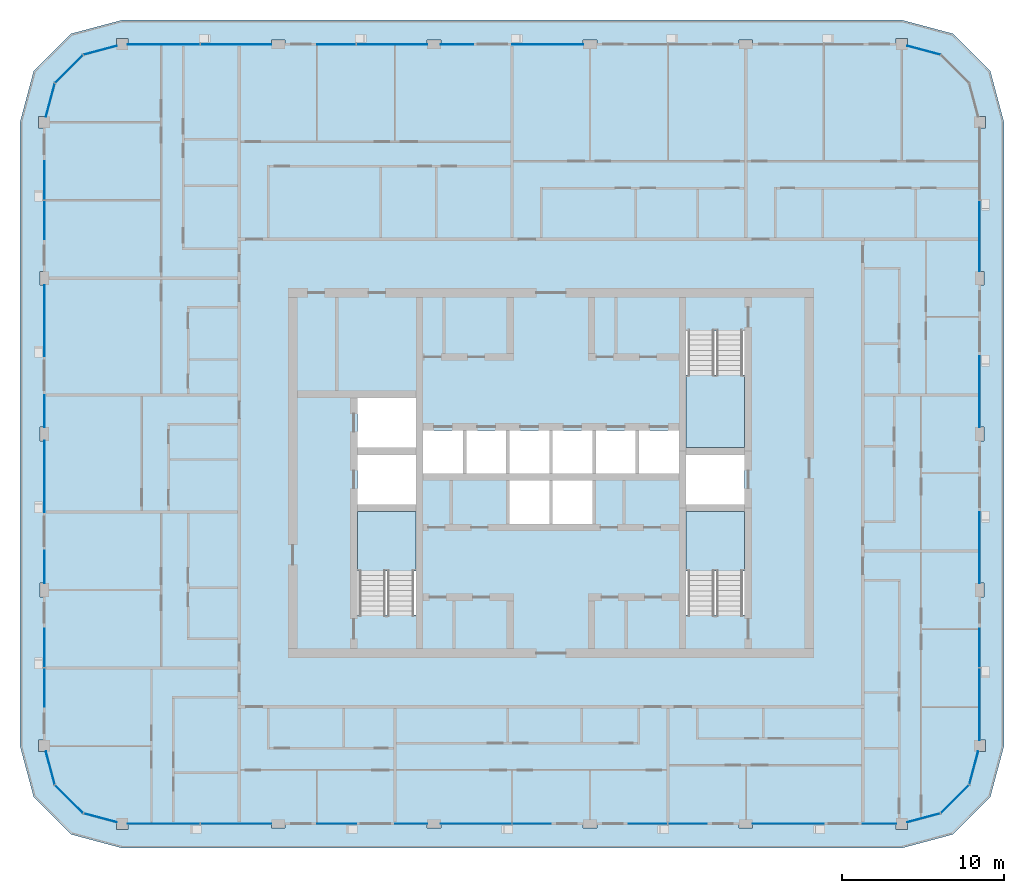
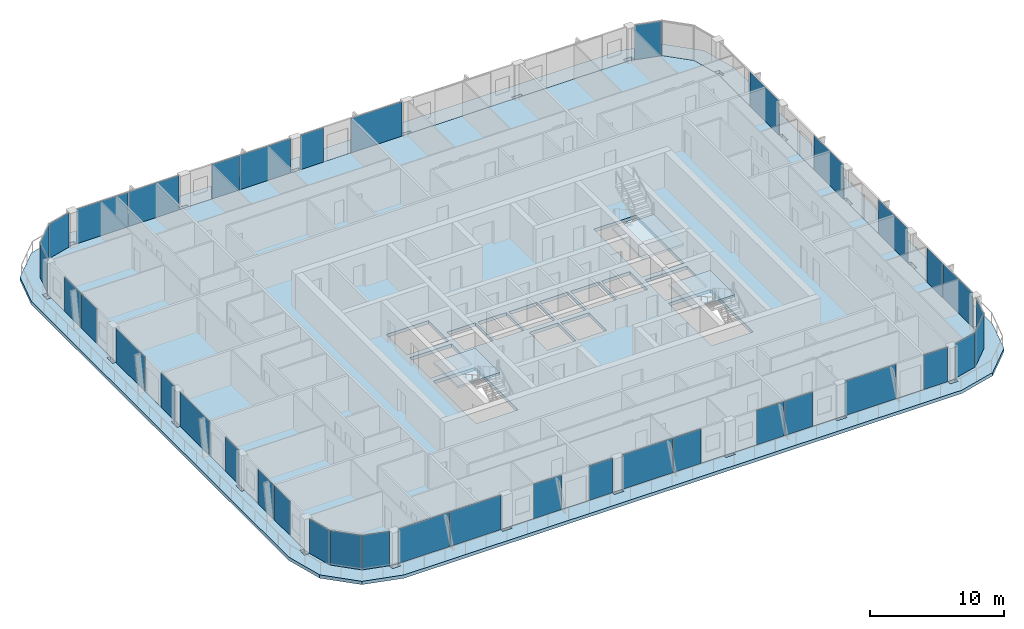
# One storey, part 7 of 22: 39 plates, 5 slabs, 23 elements without a shape of their own.
"""IFC4 building model written with IfcOpenShell, lengths in metres."""

from ifc_helpers import new_model, si_unit, direction, frame, origin, origin_2d, place, context, subcontext, project, spatial, polyline, rectangle, outline, extrude, material, layer, layer_set, type_object, element, aggregate, save


model = new_model("IFC4")

# Units and contexts
model_context = context("Model", 3, precision=1e-05, world=origin(), true_north=direction((0.0, 1.0)))
body_context = subcontext(model_context, "Body", "Model", "MODEL_VIEW")
ifc_project = project(units=[si_unit("LENGTHUNIT", "METRE"), si_unit("AREAUNIT", "SQUARE_METRE"), si_unit("VOLUMEUNIT", "CUBIC_METRE"), si_unit("PLANEANGLEUNIT", "RADIAN"), si_unit("MASSUNIT", "GRAM", prefix="KILO")], contexts=[model_context])

# Site, building, storey
site_placement = place(None, origin())
site = spatial("IfcSite", under=ifc_project, at=site_placement, CompositionType="ELEMENT")
building_placement = place(site_placement, origin())
building = spatial("IfcBuilding", under=site, at=building_placement, Name="Madar Terraces", CompositionType="ELEMENT")
storey_placement = place(building_placement, frame((0.0, 0.0, 256.199951171875)))
storey = spatial("IfcBuildingStorey", under=building, at=storey_placement, Name="L67", CompositionType="ELEMENT", Elevation=256.199951171875)

# Slabs
ifc_material_1 = material(Name="Concrete C50/60", Category="concrete")
ifc_layer_1 = layer(ifc_material_1, 0.300048828125)
ifc_layer_set_1 = layer_set([ifc_layer_1], Name="Balcony band 300")
slab_type_1 = type_object("IfcSlabType", Name="Balcony band 300", PredefinedType="FLOOR", material=ifc_layer_set_1)
slab_1_placement = place(storey_placement, frame((0.0, 0.0, -0.300048828125)))
element("IfcSlab", 1, at=slab_1_placement, inside=storey, type_object=slab_type_1, Name="Balcony band", PredefinedType="FLOOR", context=body_context, shape_type="SweptSolid", body=[
    extrude(outline(polyline([(4.800048828125, 3.300048828125), (1.64990234375, 4.14404296875), (-0.656005859375, 6.449951171875), (-1.5, 9.60009765625), (-1.5, 48.0), (-0.656005859375, 51.14990234375), (1.64990234375, 53.4560546875), (4.800048828125, 54.300048828125), (52.800048828125, 54.300048828125), (55.949951171875, 53.4560546875), (58.256103515625, 51.14990234375), (59.10009765625, 48.0), (59.10009765625, 9.60009765625), (58.256103515625, 6.449951171875), (55.949951171875, 4.14404296875), (52.800048828125, 3.300048828125), (4.800048828125, 3.300048828125)]), holes=[polyline([(5.14990234375, 4.449951171875), (5.14990234375, 4.800048828125), (13.97509765625, 4.800048828125), (13.97509765625, 4.52490234375), (14.824951171875, 4.52490234375), (14.824951171875, 4.800048828125), (23.574951171875, 4.800048828125), (23.574951171875, 4.52490234375), (24.425048828125, 4.52490234375), (24.425048828125, 4.800048828125), (33.175048828125, 4.800048828125), (33.175048828125, 4.52490234375), (34.02490234375, 4.52490234375), (34.02490234375, 4.800048828125), (42.77490234375, 4.800048828125), (42.77490234375, 4.52490234375), (43.625, 4.52490234375), (43.625, 4.800048828125), (52.449951171875, 4.800048828125), (52.449951171875, 4.449951171875), (53.14990234375, 4.449951171875), (53.14990234375, 4.893798828125), (55.199951171875, 5.443115234375), (56.956787109375, 7.199951171875), (57.506103515625, 9.25), (57.949951171875, 9.25), (57.949951171875, 9.949951171875), (57.60009765625, 9.949951171875), (57.60009765625, 18.77490234375), (57.875, 18.77490234375), (57.875, 19.625), (57.60009765625, 19.625), (57.60009765625, 28.375), (57.875, 28.375), (57.875, 29.22509765625), (57.60009765625, 29.22509765625), (57.60009765625, 37.97509765625), (57.875, 37.97509765625), (57.875, 38.824951171875), (57.60009765625, 38.824951171875), (57.60009765625, 47.64990234375), (57.949951171875, 47.64990234375), (57.949951171875, 48.35009765625), (57.506103515625, 48.35009765625), (56.956787109375, 50.39990234375), (55.199951171875, 52.156982421875), (53.14990234375, 52.706298828125), (53.14990234375, 53.14990234375), (52.449951171875, 53.14990234375), (52.449951171875, 52.800048828125), (43.625, 52.800048828125), (43.625, 53.074951171875), (42.77490234375, 53.074951171875), (42.77490234375, 52.800048828125), (34.02490234375, 52.800048828125), (34.02490234375, 53.074951171875), (33.175048828125, 53.074951171875), (33.175048828125, 52.800048828125), (24.425048828125, 52.800048828125), (24.425048828125, 53.074951171875), (23.574951171875, 53.074951171875), (23.574951171875, 52.800048828125), (14.824951171875, 52.800048828125), (14.824951171875, 53.074951171875), (13.97509765625, 53.074951171875), (13.97509765625, 52.800048828125), (5.14990234375, 52.800048828125), (5.14990234375, 53.14990234375), (4.449951171875, 53.14990234375), (4.449951171875, 52.706298828125), (2.39990234375, 52.156982421875), (0.64306640625, 50.39990234375), (0.09375, 48.35009765625), (-0.35009765625, 48.35009765625), (-0.35009765625, 47.64990234375), (0.0, 47.64990234375), (0.0, 38.824951171875), (-0.27490234375, 38.824951171875), (-0.27490234375, 37.97509765625), (0.0, 37.97509765625), (0.0, 29.22509765625), (-0.27490234375, 29.22509765625), (-0.27490234375, 28.375), (0.0, 28.375), (0.0, 19.625), (-0.27490234375, 19.625), (-0.27490234375, 18.77490234375), (0.0, 18.77490234375), (0.0, 9.949951171875), (-0.35009765625, 9.949951171875), (-0.35009765625, 9.25), (0.09375, 9.25), (0.64306640625, 7.199951171875), (2.39990234375, 5.443115234375), (4.449951171875, 4.893798828125), (4.449951171875, 4.449951171875), (5.14990234375, 4.449951171875)])]), origin(), (0.0, 0.0, 1.0), 0.300048828125),
])
ifc_material_2 = material(Name="Concrete C50/60", Category="concrete")
ifc_layer_2 = layer(ifc_material_2, 0.300048828125)
ifc_layer_set_2 = layer_set([ifc_layer_2], Name="FS2 PT flat slab 300")
slab_type_2 = type_object("IfcSlabType", Name="FS2 PT flat slab 300", PredefinedType="FLOOR", material=ifc_layer_set_2)
slab_2_placement = place(storey_placement, frame((0.0, 0.0, -0.300048828125)))
element("IfcSlab", 2, at=slab_2_placement, inside=storey, type_object=slab_type_2, Name="Floor slab L67 (1)", PredefinedType="FLOOR", context=body_context, shape_type="SweptSolid", body=[
    extrude(outline(polyline([(52.800048828125, 4.800048828125), (55.199951171875, 5.443115234375), (56.95703125, 7.199951171875), (57.60009765625, 9.60009765625), (57.60009765625, 48.0), (56.95703125, 50.39990234375), (55.199951171875, 52.156982421875), (52.800048828125, 52.800048828125), (4.800048828125, 52.800048828125), (2.39990234375, 52.156982421875), (0.64306640625, 50.39990234375), (0.0, 48.0), (0.0, 9.60009765625), (0.64306640625, 7.199951171875), (2.39990234375, 5.443115234375), (4.800048828125, 4.800048828125), (52.800048828125, 4.800048828125)]), holes=[polyline([(22.875, 17.64990234375), (19.27490234375, 17.64990234375), (19.27490234375, 24.02490234375), (22.875, 24.02490234375), (22.875, 17.64990234375)]), polyline([(28.6416015625, 23.27490234375), (28.6416015625, 25.925048828125), (31.10009765625, 25.925048828125), (31.10009765625, 23.27490234375), (28.6416015625, 23.27490234375)]), polyline([(19.27490234375, 24.47509765625), (19.27490234375, 27.52490234375), (22.875, 27.52490234375), (22.875, 24.47509765625), (19.27490234375, 24.47509765625)]), polyline([(23.324951171875, 26.375), (23.324951171875, 29.02490234375), (25.783447265625, 29.02490234375), (25.783447265625, 26.375), (23.324951171875, 26.375)]), polyline([(25.9833984375, 26.375), (25.9833984375, 29.02490234375), (28.441650390625, 29.02490234375), (28.441650390625, 26.375), (25.9833984375, 26.375)]), polyline([(28.6416015625, 26.375), (28.6416015625, 29.02490234375), (31.10009765625, 29.02490234375), (31.10009765625, 26.375), (28.6416015625, 26.375)]), polyline([(19.27490234375, 27.97509765625), (19.27490234375, 31.02490234375), (22.875, 31.02490234375), (22.875, 27.97509765625), (19.27490234375, 27.97509765625)]), polyline([(43.125, 17.64990234375), (39.52490234375, 17.64990234375), (39.52490234375, 24.02490234375), (43.125, 24.02490234375), (43.125, 17.64990234375)]), polyline([(31.300048828125, 23.27490234375), (31.300048828125, 25.925048828125), (33.75830078125, 25.925048828125), (33.75830078125, 23.27490234375), (31.300048828125, 23.27490234375)]), polyline([(39.52490234375, 24.47509765625), (39.52490234375, 27.52490234375), (43.125, 27.52490234375), (43.125, 24.47509765625), (39.52490234375, 24.47509765625)]), polyline([(31.300048828125, 26.375), (31.300048828125, 29.02490234375), (33.75830078125, 29.02490234375), (33.75830078125, 26.375), (31.300048828125, 26.375)]), polyline([(33.958251953125, 26.375), (33.958251953125, 29.02490234375), (36.416748046875, 29.02490234375), (36.416748046875, 26.375), (33.958251953125, 26.375)]), polyline([(36.61669921875, 26.375), (36.61669921875, 29.02490234375), (39.074951171875, 29.02490234375), (39.074951171875, 26.375), (36.61669921875, 26.375)]), polyline([(39.52490234375, 27.97509765625), (39.52490234375, 35.14990234375), (43.125, 35.14990234375), (43.125, 27.97509765625), (39.52490234375, 27.97509765625)])]), origin(), (0.0, 0.0, 1.0), 0.300048828125),
])

# Curtain wall, plates
ifc_material_3 = material(Name="Glass, ceramic frit dark grey, with black aluminium frame", Category="aluminium")
ifc_layer_3 = layer(ifc_material_3, 0.199951171875)
ifc_layer_set_3 = layer_set([ifc_layer_3], Name="Facade curtain wall, fritted glass")
curtain_wall_type = type_object("IfcCurtainWallType", Name="Facade curtain wall, fritted glass", PredefinedType="NOTDEFINED", material=ifc_layer_set_3)
curtain_wall_1_placement = place(storey_placement, origin())
curtain_wall_1 = element("IfcCurtainWall", 3, at=curtain_wall_1_placement, inside=storey, type_object=curtain_wall_type, Name="Outer skin curtain wall south bay 1", PredefinedType="NOTDEFINED")
ifc_material_4 = material(Name="Glass, ceramic frit dark grey", Category="glass")
ifc_layer_4 = layer(ifc_material_4, 0.028076171875)
ifc_layer_set_4 = layer_set([ifc_layer_4], Name="Facade glass panel 28")
plate_type = type_object("IfcPlateType", Name="Facade glass panel 28", PredefinedType="CURTAIN_PANEL", material=ifc_layer_set_4)
plate_1_placement = place(storey_placement, frame((7.360107421875, 4.800048828125, 0.0), z_axis=(0.0, 0.0, 1.0), x_axis=(1.0, 0.0, 0.0)))
plate_1 = element("IfcPlate", 4, at=plate_1_placement, type_object=plate_type, Name="Panel 1", PredefinedType="CURTAIN_PANEL", context=body_context, shape_type="SweptSolid", body=[
    extrude(rectangle(XDim=4.419921875, YDim=0.028076171875, at=origin_2d()), origin(), (0.0, 0.0, 1.0), 3.139892578125),
])
plate_2_placement = place(storey_placement, frame((11.802490234375, 4.800048828125, 0.0), z_axis=(0.0, 0.0, 1.0), x_axis=(1.0, 0.0, 0.0)))
plate_2 = element("IfcPlate", 5, at=plate_2_placement, type_object=plate_type, Name="Panel 2", PredefinedType="CURTAIN_PANEL", context=body_context, shape_type="SweptSolid", body=[
    extrude(rectangle(XDim=4.344970703125, YDim=0.028076171875, at=origin_2d()), origin(), (0.0, 0.0, 1.0), 3.139892578125),
])
aggregate(curtain_wall_1, [plate_1, plate_2])

curtain_wall_2_placement = place(storey_placement, origin())
curtain_wall_2 = element("IfcCurtainWall", 6, at=curtain_wall_2_placement, inside=storey, type_object=curtain_wall_type, Name="Outer skin curtain wall south bay 2", PredefinedType="NOTDEFINED")
plate_3_placement = place(storey_placement, frame((18.0, 4.800048828125, 0.0), z_axis=(0.0, 0.0, 1.0), x_axis=(1.0, 0.0, 0.0)))
plate_3 = element("IfcPlate", 7, at=plate_3_placement, type_object=plate_type, Name="Panel 1", PredefinedType="CURTAIN_PANEL", context=body_context, shape_type="SweptSolid", body=[
    extrude(rectangle(XDim=2.39990234375, YDim=0.028076171875, at=origin_2d()), origin(), (0.0, 0.0, 1.0), 3.139892578125),
])
plate_4_placement = place(storey_placement, frame((22.58740234375, 4.800048828125, 0.0), z_axis=(0.0, 0.0, 1.0), x_axis=(1.0, 0.0, 0.0)))
plate_4 = element("IfcPlate", 8, at=plate_4_placement, type_object=plate_type, Name="Panel 2", PredefinedType="CURTAIN_PANEL", context=body_context, shape_type="SweptSolid", body=[
    extrude(rectangle(XDim=1.97509765625, YDim=0.028076171875, at=origin_2d()), origin(), (0.0, 0.0, 1.0), 3.139892578125),
])
aggregate(curtain_wall_2, [plate_3, plate_4])

curtain_wall_3_placement = place(storey_placement, origin())
curtain_wall_3 = element("IfcCurtainWall", 9, at=curtain_wall_3_placement, inside=storey, type_object=curtain_wall_type, Name="Outer skin curtain wall south bay 3", PredefinedType="NOTDEFINED")
plate_5_placement = place(storey_placement, frame((26.597412109375, 4.800048828125, 0.0), z_axis=(0.0, 0.0, 1.0), x_axis=(1.0, 0.0, 0.0)))
plate_5 = element("IfcPlate", 10, at=plate_5_placement, type_object=plate_type, Name="Panel 1", PredefinedType="CURTAIN_PANEL", context=body_context, shape_type="SweptSolid", body=[
    extrude(rectangle(XDim=4.344970703125, YDim=0.028076171875, at=origin_2d()), origin(), (0.0, 0.0, 1.0), 3.139892578125),
])
plate_6_placement = place(storey_placement, frame((30.014892578125, 4.800048828125, 0.0), z_axis=(0.0, 0.0, 1.0), x_axis=(1.0, 0.0, 0.0)))
plate_6 = element("IfcPlate", 11, at=plate_6_placement, type_object=plate_type, Name="Panel 2", PredefinedType="CURTAIN_PANEL", context=body_context, shape_type="SweptSolid", body=[
    extrude(rectangle(XDim=2.3701171875, YDim=0.028076171875, at=origin_2d()), origin(), (0.0, 0.0, 1.0), 3.139892578125),
])
aggregate(curtain_wall_3, [plate_5, plate_6])

curtain_wall_4_placement = place(storey_placement, origin())
curtain_wall_4 = element("IfcCurtainWall", 12, at=curtain_wall_4_placement, inside=storey, type_object=curtain_wall_type, Name="Outer skin curtain wall south bay 4", PredefinedType="NOTDEFINED")
plate_7_placement = place(storey_placement, frame((37.18505859375, 4.800048828125, 0.0), z_axis=(0.0, 0.0, 1.0), x_axis=(1.0, 0.0, 0.0)))
plate_7 = element("IfcPlate", 13, at=plate_7_placement, type_object=plate_type, Name="Panel 1", PredefinedType="CURTAIN_PANEL", context=body_context, shape_type="SweptSolid", body=[
    extrude(rectangle(XDim=2.3701171875, YDim=0.028076171875, at=origin_2d()), origin(), (0.0, 0.0, 1.0), 3.139892578125),
])
plate_8_placement = place(storey_placement, frame((39.614990234375, 4.800048828125, 0.0), z_axis=(0.0, 0.0, 1.0), x_axis=(1.0, 0.0, 0.0)))
plate_8 = element("IfcPlate", 14, at=plate_8_placement, type_object=plate_type, Name="Panel 2", PredefinedType="CURTAIN_PANEL", context=body_context, shape_type="SweptSolid", body=[
    extrude(rectangle(XDim=2.3701171875, YDim=0.028076171875, at=origin_2d()), origin(), (0.0, 0.0, 1.0), 3.139892578125),
])
aggregate(curtain_wall_4, [plate_7, plate_8])

curtain_wall_5_placement = place(storey_placement, origin())
curtain_wall_5 = element("IfcCurtainWall", 15, at=curtain_wall_5_placement, inside=storey, type_object=curtain_wall_type, Name="Outer skin curtain wall south bay 5", PredefinedType="NOTDEFINED")
plate_9_placement = place(storey_placement, frame((45.8125, 4.800048828125, 0.0), z_axis=(0.0, 0.0, 1.0), x_axis=(1.0, 0.0, 0.0)))
plate_9 = element("IfcPlate", 16, at=plate_9_placement, type_object=plate_type, Name="Panel 1", PredefinedType="CURTAIN_PANEL", context=body_context, shape_type="SweptSolid", body=[
    extrude(rectangle(XDim=4.375, YDim=0.028076171875, at=origin_2d()), origin(), (0.0, 0.0, 1.0), 3.139892578125),
])
plate_10_placement = place(storey_placement, frame((51.425048828125, 4.800048828125, 0.0), z_axis=(0.0, 0.0, 1.0), x_axis=(1.0, 0.0, 0.0)))
plate_10 = element("IfcPlate", 17, at=plate_10_placement, type_object=plate_type, Name="Panel 2", PredefinedType="CURTAIN_PANEL", context=body_context, shape_type="SweptSolid", body=[
    extrude(rectangle(XDim=2.050048828125, YDim=0.028076171875, at=origin_2d()), origin(), (0.0, 0.0, 1.0), 3.139892578125),
])
aggregate(curtain_wall_5, [plate_9, plate_10])

curtain_wall_6_placement = place(storey_placement, origin())
curtain_wall_6 = element("IfcCurtainWall", 18, at=curtain_wall_6_placement, inside=storey, type_object=curtain_wall_type, Name="Outer skin curtain wall east bay 1", PredefinedType="NOTDEFINED")
plate_11_placement = place(storey_placement, frame((57.60009765625, 12.159912109375, 0.0), z_axis=(0.0, 0.0, 1.0), x_axis=(0.0, 1.0, 0.0)))
plate_11 = element("IfcPlate", 19, at=plate_11_placement, type_object=plate_type, Name="Panel 1", PredefinedType="CURTAIN_PANEL", context=body_context, shape_type="SweptSolid", body=[
    extrude(rectangle(XDim=4.419921875, YDim=0.028076171875, at=origin_2d()), origin(), (0.0, 0.0, 1.0), 3.139892578125),
])
plate_12_placement = place(storey_placement, frame((57.60009765625, 15.614990234375, 0.0), z_axis=(0.0, 0.0, 1.0), x_axis=(0.0, 1.0, 0.0)))
plate_12 = element("IfcPlate", 20, at=plate_12_placement, type_object=plate_type, Name="Panel 2", PredefinedType="CURTAIN_PANEL", context=body_context, shape_type="SweptSolid", body=[
    extrude(rectangle(XDim=2.3701171875, YDim=0.028076171875, at=origin_2d()), origin(), (0.0, 0.0, 1.0), 3.139892578125),
])
aggregate(curtain_wall_6, [plate_11, plate_12])

# Curtain wall, plate
curtain_wall_7_placement = place(storey_placement, origin())
curtain_wall_7 = element("IfcCurtainWall", 21, at=curtain_wall_7_placement, inside=storey, type_object=curtain_wall_type, Name="Outer skin curtain wall east bay 2", PredefinedType="NOTDEFINED")
plate_13_placement = place(storey_placement, frame((57.60009765625, 21.8125, 0.0), z_axis=(0.0, 0.0, 1.0), x_axis=(0.0, 1.0, 0.0)))
plate_13 = element("IfcPlate", 22, at=plate_13_placement, type_object=plate_type, Name="Panel 1", PredefinedType="CURTAIN_PANEL", context=body_context, shape_type="SweptSolid", body=[
    extrude(rectangle(XDim=4.375, YDim=0.028076171875, at=origin_2d()), origin(), (0.0, 0.0, 1.0), 3.139892578125),
])
aggregate(curtain_wall_7, [plate_13])

curtain_wall_8_placement = place(storey_placement, origin())
curtain_wall_8 = element("IfcCurtainWall", 23, at=curtain_wall_8_placement, inside=storey, type_object=curtain_wall_type, Name="Outer skin curtain wall east bay 3", PredefinedType="NOTDEFINED")
plate_14_placement = place(storey_placement, frame((57.60009765625, 31.41259765625, 0.0), z_axis=(0.0, 0.0, 1.0), x_axis=(0.0, 1.0, 0.0)))
plate_14 = element("IfcPlate", 24, at=plate_14_placement, type_object=plate_type, Name="Panel 1", PredefinedType="CURTAIN_PANEL", context=body_context, shape_type="SweptSolid", body=[
    extrude(rectangle(XDim=4.375, YDim=0.028076171875, at=origin_2d()), origin(), (0.0, 0.0, 1.0), 3.139892578125),
])
aggregate(curtain_wall_8, [plate_14])

curtain_wall_9_placement = place(storey_placement, origin())
curtain_wall_9 = element("IfcCurtainWall", 25, at=curtain_wall_9_placement, inside=storey, type_object=curtain_wall_type, Name="Outer skin curtain wall east bay 4", PredefinedType="NOTDEFINED")
plate_15_placement = place(storey_placement, frame((57.60009765625, 40.99755859375, 0.0), z_axis=(0.0, 0.0, 1.0), x_axis=(0.0, 1.0, 0.0)))
plate_15 = element("IfcPlate", 26, at=plate_15_placement, type_object=plate_type, Name="Panel 1", PredefinedType="CURTAIN_PANEL", context=body_context, shape_type="SweptSolid", body=[
    extrude(rectangle(XDim=4.344970703125, YDim=0.028076171875, at=origin_2d()), origin(), (0.0, 0.0, 1.0), 3.139892578125),
])
aggregate(curtain_wall_9, [plate_15])

# Curtain wall, plates
curtain_wall_10_placement = place(storey_placement, origin())
curtain_wall_10 = element("IfcCurtainWall", 27, at=curtain_wall_10_placement, inside=storey, type_object=curtain_wall_type, Name="Outer skin curtain wall north bay 3", PredefinedType="NOTDEFINED")
plate_16_placement = place(storey_placement, frame((30.987548828125, 52.800048828125, 0.0), z_axis=(0.0, 0.0, 1.0), x_axis=(-1.0, 0.0, 0.0)))
plate_16 = element("IfcPlate", 28, at=plate_16_placement, type_object=plate_type, Name="Panel 1", PredefinedType="CURTAIN_PANEL", context=body_context, shape_type="SweptSolid", body=[
    extrude(rectangle(XDim=4.375, YDim=0.028076171875, at=origin_2d()), origin(), (0.0, 0.0, 1.0), 3.139892578125),
])
plate_17_placement = place(storey_placement, frame((25.41259765625, 52.800048828125, 0.0), z_axis=(0.0, 0.0, 1.0), x_axis=(-1.0, 0.0, 0.0)))
plate_17 = element("IfcPlate", 29, at=plate_17_placement, type_object=plate_type, Name="Panel 2", PredefinedType="CURTAIN_PANEL", context=body_context, shape_type="SweptSolid", body=[
    extrude(rectangle(XDim=1.97509765625, YDim=0.028076171875, at=origin_2d()), origin(), (0.0, 0.0, 1.0), 3.139892578125),
])
aggregate(curtain_wall_10, [plate_16, plate_17])

curtain_wall_11_placement = place(storey_placement, origin())
curtain_wall_11 = element("IfcCurtainWall", 30, at=curtain_wall_11_placement, inside=storey, type_object=curtain_wall_type, Name="Outer skin curtain wall north bay 4", PredefinedType="NOTDEFINED")
plate_18_placement = place(storey_placement, frame((21.402587890625, 52.800048828125, 0.0), z_axis=(0.0, 0.0, 1.0), x_axis=(-1.0, 0.0, 0.0)))
plate_18 = element("IfcPlate", 31, at=plate_18_placement, type_object=plate_type, Name="Panel 1", PredefinedType="CURTAIN_PANEL", context=body_context, shape_type="SweptSolid", body=[
    extrude(rectangle(XDim=4.344970703125, YDim=0.028076171875, at=origin_2d()), origin(), (0.0, 0.0, 1.0), 3.139892578125),
])
plate_19_placement = place(storey_placement, frame((17.985107421875, 52.800048828125, 0.0), z_axis=(0.0, 0.0, 1.0), x_axis=(-1.0, 0.0, 0.0)))
plate_19 = element("IfcPlate", 32, at=plate_19_placement, type_object=plate_type, Name="Panel 2", PredefinedType="CURTAIN_PANEL", context=body_context, shape_type="SweptSolid", body=[
    extrude(rectangle(XDim=2.3701171875, YDim=0.028076171875, at=origin_2d()), origin(), (0.0, 0.0, 1.0), 3.139892578125),
])
aggregate(curtain_wall_11, [plate_18, plate_19])

curtain_wall_12_placement = place(storey_placement, origin())
curtain_wall_12 = element("IfcCurtainWall", 33, at=curtain_wall_12_placement, inside=storey, type_object=curtain_wall_type, Name="Outer skin curtain wall north bay 5", PredefinedType="NOTDEFINED")
plate_20_placement = place(storey_placement, frame((11.802490234375, 52.800048828125, 0.0), z_axis=(0.0, 0.0, 1.0), x_axis=(-1.0, 0.0, 0.0)))
plate_20 = element("IfcPlate", 34, at=plate_20_placement, type_object=plate_type, Name="Panel 1", PredefinedType="CURTAIN_PANEL", context=body_context, shape_type="SweptSolid", body=[
    extrude(rectangle(XDim=4.344970703125, YDim=0.028076171875, at=origin_2d()), origin(), (0.0, 0.0, 1.0), 3.139892578125),
])
plate_21_placement = place(storey_placement, frame((7.360107421875, 52.800048828125, 0.0), z_axis=(0.0, 0.0, 1.0), x_axis=(-1.0, 0.0, 0.0)))
plate_21 = element("IfcPlate", 35, at=plate_21_placement, type_object=plate_type, Name="Panel 2", PredefinedType="CURTAIN_PANEL", context=body_context, shape_type="SweptSolid", body=[
    extrude(rectangle(XDim=4.419921875, YDim=0.028076171875, at=origin_2d()), origin(), (0.0, 0.0, 1.0), 3.139892578125),
])
aggregate(curtain_wall_12, [plate_20, plate_21])

curtain_wall_13_placement = place(storey_placement, origin())
curtain_wall_13 = element("IfcCurtainWall", 36, at=curtain_wall_13_placement, inside=storey, type_object=curtain_wall_type, Name="Outer skin curtain wall west bay 1", PredefinedType="NOTDEFINED")
plate_22_placement = place(storey_placement, frame((0.0, 44.4150390625, 0.0), z_axis=(0.0, 0.0, 1.0), x_axis=(0.0, -1.0, 0.0)))
plate_22 = element("IfcPlate", 37, at=plate_22_placement, type_object=plate_type, Name="Panel 1", PredefinedType="CURTAIN_PANEL", context=body_context, shape_type="SweptSolid", body=[
    extrude(rectangle(XDim=2.3701171875, YDim=0.028076171875, at=origin_2d()), origin(), (0.0, 0.0, 1.0), 3.139892578125),
])
plate_23_placement = place(storey_placement, frame((0.0, 41.985107421875, 0.0), z_axis=(0.0, 0.0, 1.0), x_axis=(0.0, -1.0, 0.0)))
plate_23 = element("IfcPlate", 38, at=plate_23_placement, type_object=plate_type, Name="Panel 2", PredefinedType="CURTAIN_PANEL", context=body_context, shape_type="SweptSolid", body=[
    extrude(rectangle(XDim=2.3701171875, YDim=0.028076171875, at=origin_2d()), origin(), (0.0, 0.0, 1.0), 3.139892578125),
])
aggregate(curtain_wall_13, [plate_22, plate_23])

curtain_wall_14_placement = place(storey_placement, origin())
curtain_wall_14 = element("IfcCurtainWall", 39, at=curtain_wall_14_placement, inside=storey, type_object=curtain_wall_type, Name="Outer skin curtain wall west bay 2", PredefinedType="NOTDEFINED")
plate_24_placement = place(storey_placement, frame((0.0, 35.78759765625, 0.0), z_axis=(0.0, 0.0, 1.0), x_axis=(0.0, -1.0, 0.0)))
plate_24 = element("IfcPlate", 40, at=plate_24_placement, type_object=plate_type, Name="Panel 1", PredefinedType="CURTAIN_PANEL", context=body_context, shape_type="SweptSolid", body=[
    extrude(rectangle(XDim=4.375, YDim=0.028076171875, at=origin_2d()), origin(), (0.0, 0.0, 1.0), 3.139892578125),
])
plate_25_placement = place(storey_placement, frame((0.0, 30.21240234375, 0.0), z_axis=(0.0, 0.0, 1.0), x_axis=(0.0, -1.0, 0.0)))
plate_25 = element("IfcPlate", 41, at=plate_25_placement, type_object=plate_type, Name="Panel 2", PredefinedType="CURTAIN_PANEL", context=body_context, shape_type="SweptSolid", body=[
    extrude(rectangle(XDim=1.97509765625, YDim=0.028076171875, at=origin_2d()), origin(), (0.0, 0.0, 1.0), 3.139892578125),
])
aggregate(curtain_wall_14, [plate_24, plate_25])

curtain_wall_15_placement = place(storey_placement, origin())
curtain_wall_15 = element("IfcCurtainWall", 42, at=curtain_wall_15_placement, inside=storey, type_object=curtain_wall_type, Name="Outer skin curtain wall west bay 3", PredefinedType="NOTDEFINED")
plate_26_placement = place(storey_placement, frame((0.0, 26.1875, 0.0), z_axis=(0.0, 0.0, 1.0), x_axis=(0.0, -1.0, 0.0)))
plate_26 = element("IfcPlate", 43, at=plate_26_placement, type_object=plate_type, Name="Panel 1", PredefinedType="CURTAIN_PANEL", context=body_context, shape_type="SweptSolid", body=[
    extrude(rectangle(XDim=4.375, YDim=0.028076171875, at=origin_2d()), origin(), (0.0, 0.0, 1.0), 3.139892578125),
])
plate_27_placement = place(storey_placement, frame((0.0, 20.612548828125, 0.0), z_axis=(0.0, 0.0, 1.0), x_axis=(0.0, -1.0, 0.0)))
plate_27 = element("IfcPlate", 44, at=plate_27_placement, type_object=plate_type, Name="Panel 2", PredefinedType="CURTAIN_PANEL", context=body_context, shape_type="SweptSolid", body=[
    extrude(rectangle(XDim=1.97509765625, YDim=0.028076171875, at=origin_2d()), origin(), (0.0, 0.0, 1.0), 3.139892578125),
])
aggregate(curtain_wall_15, [plate_26, plate_27])

curtain_wall_16_placement = place(storey_placement, origin())
curtain_wall_16 = element("IfcCurtainWall", 45, at=curtain_wall_16_placement, inside=storey, type_object=curtain_wall_type, Name="Outer skin curtain wall west bay 4", PredefinedType="NOTDEFINED")
plate_28_placement = place(storey_placement, frame((0.0, 15.614990234375, 0.0), z_axis=(0.0, 0.0, 1.0), x_axis=(0.0, -1.0, 0.0)))
plate_28 = element("IfcPlate", 46, at=plate_28_placement, type_object=plate_type, Name="Panel 1", PredefinedType="CURTAIN_PANEL", context=body_context, shape_type="SweptSolid", body=[
    extrude(rectangle(XDim=2.3701171875, YDim=0.028076171875, at=origin_2d()), origin(), (0.0, 0.0, 1.0), 3.139892578125),
])
plate_29_placement = place(storey_placement, frame((0.0, 13.18505859375, 0.0), z_axis=(0.0, 0.0, 1.0), x_axis=(0.0, -1.0, 0.0)))
plate_29 = element("IfcPlate", 47, at=plate_29_placement, type_object=plate_type, Name="Panel 2", PredefinedType="CURTAIN_PANEL", context=body_context, shape_type="SweptSolid", body=[
    extrude(rectangle(XDim=2.3701171875, YDim=0.028076171875, at=origin_2d()), origin(), (0.0, 0.0, 1.0), 3.139892578125),
])
aggregate(curtain_wall_16, [plate_28, plate_29])

curtain_wall_17_placement = place(storey_placement, origin())
curtain_wall_17 = element("IfcCurtainWall", 48, at=curtain_wall_17_placement, inside=storey, type_object=curtain_wall_type, Name="Outer skin curtain wall south-east corner", PredefinedType="NOTDEFINED")
plate_30_placement = place(storey_placement, frame((54.160400390625, 5.16455078125, 0.0), z_axis=(0.0, 0.0, 1.0), x_axis=(0.965925832509, 0.258819021888, 0.0)))
plate_30 = element("IfcPlate", 49, at=plate_30_placement, type_object=plate_type, Name="Panel 1", PredefinedType="CURTAIN_PANEL", context=body_context, shape_type="SweptSolid", body=[
    extrude(rectangle(XDim=2.09228515625, YDim=0.028076171875, at=origin_2d()), origin(), (0.0, 0.0, 1.0), 3.139892578125),
])
plate_31_placement = place(storey_placement, frame((56.078369140625, 6.321533203125, 0.0), z_axis=(0.0, 0.0, 1.0), x_axis=(0.707106781187, 0.707106781187, 0.0)))
plate_31 = element("IfcPlate", 50, at=plate_31_placement, type_object=plate_type, Name="Panel 2", PredefinedType="CURTAIN_PANEL", context=body_context, shape_type="SweptSolid", body=[
    extrude(rectangle(XDim=2.424560546875, YDim=0.028076171875, at=origin_2d()), origin(), (0.0, 0.0, 1.0), 3.139892578125),
])
plate_32_placement = place(storey_placement, frame((57.2353515625, 8.239501953125, 0.0), z_axis=(0.0, 0.0, 1.0), x_axis=(0.258819021888, 0.965925832509, 0.0)))
plate_32 = element("IfcPlate", 51, at=plate_32_placement, type_object=plate_type, Name="Panel 3", PredefinedType="CURTAIN_PANEL", context=body_context, shape_type="SweptSolid", body=[
    extrude(rectangle(XDim=2.09228515625, YDim=0.028076171875, at=origin_2d()), origin(), (0.0, 0.0, 1.0), 3.139892578125),
])
aggregate(curtain_wall_17, [plate_30, plate_31, plate_32])

# Curtain wall, plate
curtain_wall_18_placement = place(storey_placement, origin())
curtain_wall_18 = element("IfcCurtainWall", 52, at=curtain_wall_18_placement, inside=storey, type_object=curtain_wall_type, Name="Outer skin curtain wall north-east corner", PredefinedType="NOTDEFINED")
plate_33_placement = place(storey_placement, frame((54.160400390625, 52.435546875, 0.0), z_axis=(0.0, 0.0, 1.0), x_axis=(-0.965925832509, 0.258819021888, 0.0)))
plate_33 = element("IfcPlate", 53, at=plate_33_placement, type_object=plate_type, Name="Panel 3", PredefinedType="CURTAIN_PANEL", context=body_context, shape_type="SweptSolid", body=[
    extrude(rectangle(XDim=2.09228515625, YDim=0.028076171875, at=origin_2d()), origin(), (0.0, 0.0, 1.0), 3.139892578125),
])
aggregate(curtain_wall_18, [plate_33])

# Curtain wall, plates
curtain_wall_19_placement = place(storey_placement, origin())
curtain_wall_19 = element("IfcCurtainWall", 54, at=curtain_wall_19_placement, inside=storey, type_object=curtain_wall_type, Name="Outer skin curtain wall north-west corner", PredefinedType="NOTDEFINED")
plate_34_placement = place(storey_placement, frame((3.439453125, 52.435546875, 0.0), z_axis=(0.0, 0.0, 1.0), x_axis=(-0.965925832509, -0.258819021888, 0.0)))
plate_34 = element("IfcPlate", 55, at=plate_34_placement, type_object=plate_type, Name="Panel 1", PredefinedType="CURTAIN_PANEL", context=body_context, shape_type="SweptSolid", body=[
    extrude(rectangle(XDim=2.09228515625, YDim=0.028076171875, at=origin_2d()), origin(), (0.0, 0.0, 1.0), 3.139892578125),
])
plate_35_placement = place(storey_placement, frame((1.521484375, 51.278564453125, 0.0), z_axis=(0.0, 0.0, 1.0), x_axis=(-0.707106781187, -0.707106781187, 0.0)))
plate_35 = element("IfcPlate", 56, at=plate_35_placement, type_object=plate_type, Name="Panel 2", PredefinedType="CURTAIN_PANEL", context=body_context, shape_type="SweptSolid", body=[
    extrude(rectangle(XDim=2.424560546875, YDim=0.028076171875, at=origin_2d()), origin(), (0.0, 0.0, 1.0), 3.139892578125),
])
plate_36_placement = place(storey_placement, frame((0.364501953125, 49.360595703125, 0.0), z_axis=(0.0, 0.0, 1.0), x_axis=(-0.258819021888, -0.965925832509, 0.0)))
plate_36 = element("IfcPlate", 57, at=plate_36_placement, type_object=plate_type, Name="Panel 3", PredefinedType="CURTAIN_PANEL", context=body_context, shape_type="SweptSolid", body=[
    extrude(rectangle(XDim=2.09228515625, YDim=0.028076171875, at=origin_2d()), origin(), (0.0, 0.0, 1.0), 3.139892578125),
])
aggregate(curtain_wall_19, [plate_34, plate_35, plate_36])

curtain_wall_20_placement = place(storey_placement, origin())
curtain_wall_20 = element("IfcCurtainWall", 58, at=curtain_wall_20_placement, inside=storey, type_object=curtain_wall_type, Name="Outer skin curtain wall south-west corner", PredefinedType="NOTDEFINED")
plate_37_placement = place(storey_placement, frame((0.364501953125, 8.239501953125, 0.0), z_axis=(0.0, 0.0, 1.0), x_axis=(0.258819021888, -0.965925832509, 0.0)))
plate_37 = element("IfcPlate", 59, at=plate_37_placement, type_object=plate_type, Name="Panel 1", PredefinedType="CURTAIN_PANEL", context=body_context, shape_type="SweptSolid", body=[
    extrude(rectangle(XDim=2.09228515625, YDim=0.028076171875, at=origin_2d()), origin(), (0.0, 0.0, 1.0), 3.139892578125),
])
plate_38_placement = place(storey_placement, frame((1.521484375, 6.321533203125, 0.0), z_axis=(0.0, 0.0, 1.0), x_axis=(0.707106781187, -0.707106781187, 0.0)))
plate_38 = element("IfcPlate", 60, at=plate_38_placement, type_object=plate_type, Name="Panel 2", PredefinedType="CURTAIN_PANEL", context=body_context, shape_type="SweptSolid", body=[
    extrude(rectangle(XDim=2.424560546875, YDim=0.028076171875, at=origin_2d()), origin(), (0.0, 0.0, 1.0), 3.139892578125),
])
plate_39_placement = place(storey_placement, frame((3.439453125, 5.16455078125, 0.0), z_axis=(0.0, 0.0, 1.0), x_axis=(0.965925832509, -0.258819021888, 0.0)))
plate_39 = element("IfcPlate", 61, at=plate_39_placement, type_object=plate_type, Name="Panel 3", PredefinedType="CURTAIN_PANEL", context=body_context, shape_type="SweptSolid", body=[
    extrude(rectangle(XDim=2.09228515625, YDim=0.028076171875, at=origin_2d()), origin(), (0.0, 0.0, 1.0), 3.139892578125),
])
aggregate(curtain_wall_20, [plate_37, plate_38, plate_39])

# Stair, slab
ifc_material_5 = material(Name="Concrete C50/60", Category="concrete")
stair_type_1 = type_object("IfcStairType", Name="Stair ST1 protected exit", PredefinedType="HALF_TURN_STAIR", material=ifc_material_5)
stair_1_placement = place(storey_placement, origin())
stair_1 = element("IfcStair", 62, at=stair_1_placement, inside=storey, type_object=stair_type_1, Name="L67 Protected Exit Stair ST1", PredefinedType="HALF_TURN_STAIR")
ifc_material_6 = material(Name="Concrete C50/60", Category="concrete")
ifc_layer_5 = layer(ifc_material_6, 0.199951171875)
ifc_layer_set_5 = layer_set([ifc_layer_5], Name="Stair landing 200, top +1.75")
slab_type_3 = type_object("IfcSlabType", Name="Stair landing 200, top +1.75", PredefinedType="LANDING", material=ifc_layer_set_5)
slab_3_placement = place(storey_placement, frame((0.0, 0.0, 1.550048828125)))
slab_3 = element("IfcSlab", 63, at=slab_3_placement, type_object=slab_type_3, Name="ST1 landing 1", PredefinedType="LANDING", context=body_context, shape_type="SweptSolid", body=[
    extrude(outline(polyline([(19.27490234375, 20.360107421875), (22.875, 20.360107421875), (22.875, 24.02490234375), (19.27490234375, 24.02490234375), (19.27490234375, 20.360107421875)])), origin(), (0.0, 0.0, 1.0), 0.199951171875),
])
aggregate(stair_1, [slab_3])

ifc_material_7 = material(Name="Concrete C50/60", Category="concrete")
stair_type_2 = type_object("IfcStairType", Name="Stair ST2 protected exit", PredefinedType="HALF_TURN_STAIR", material=ifc_material_7)
stair_2_placement = place(storey_placement, origin())
stair_2 = element("IfcStair", 64, at=stair_2_placement, inside=storey, type_object=stair_type_2, Name="L67 Protected Exit Stair ST2", PredefinedType="HALF_TURN_STAIR")
slab_4_placement = place(storey_placement, frame((0.0, 0.0, 1.550048828125)))
slab_4 = element("IfcSlab", 65, at=slab_4_placement, type_object=slab_type_3, Name="ST2 landing 1", PredefinedType="LANDING", context=body_context, shape_type="SweptSolid", body=[
    extrude(outline(polyline([(39.52490234375, 27.97509765625), (43.125, 27.97509765625), (43.125, 32.43994140625), (39.52490234375, 32.43994140625), (39.52490234375, 27.97509765625)])), origin(), (0.0, 0.0, 1.0), 0.199951171875),
])
aggregate(stair_2, [slab_4])

ifc_material_8 = material(Name="Concrete C50/60", Category="concrete")
stair_type_3 = type_object("IfcStairType", Name="Stair ST3 protected exit", PredefinedType="HALF_TURN_STAIR", material=ifc_material_8)
stair_3_placement = place(storey_placement, origin())
stair_3 = element("IfcStair", 66, at=stair_3_placement, inside=storey, type_object=stair_type_3, Name="L67 Protected Exit Stair ST3", PredefinedType="HALF_TURN_STAIR")
slab_5_placement = place(storey_placement, frame((0.0, 0.0, 1.550048828125)))
slab_5 = element("IfcSlab", 67, at=slab_5_placement, type_object=slab_type_3, Name="ST3 landing 1", PredefinedType="LANDING", context=body_context, shape_type="SweptSolid", body=[
    extrude(outline(polyline([(39.52490234375, 20.360107421875), (43.125, 20.360107421875), (43.125, 24.02490234375), (39.52490234375, 24.02490234375), (39.52490234375, 20.360107421875)])), origin(), (0.0, 0.0, 1.0), 0.199951171875),
])
aggregate(stair_3, [slab_5])

save(model, "model.ifc")
